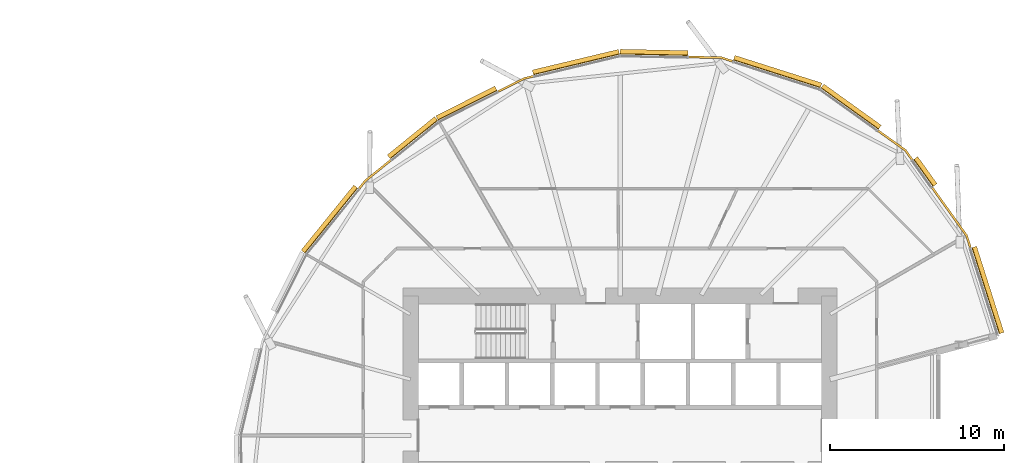
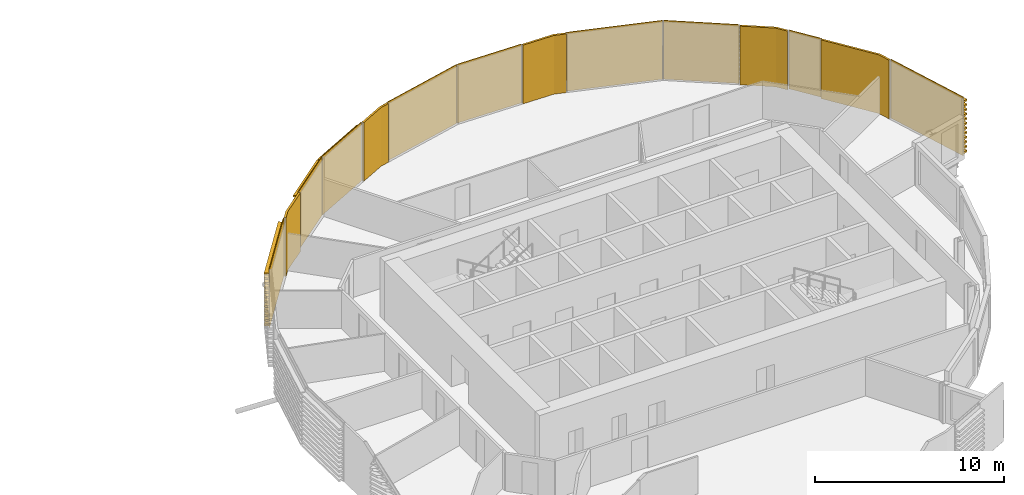
# One storey, part 37 of 37: 14 coverings.
"""IFC4 building model written with IfcOpenShell, lengths in metres."""

from ifc_helpers import new_model, si_unit, direction, frame, origin, place, context, subcontext, project, spatial, polyline, outline, extrude, material, layer, layer_set, material_profile, profile_set, type_object, element, save


model = new_model("IFC4")

# Units and contexts
model_context = context("Model", 3, precision=1e-05, world=origin(), true_north=direction((0.0, 1.0)))
body_context = subcontext(model_context, "Body", "Model", "MODEL_VIEW")
ifc_project = project(units=[si_unit("LENGTHUNIT", "METRE"), si_unit("AREAUNIT", "SQUARE_METRE"), si_unit("VOLUMEUNIT", "CUBIC_METRE"), si_unit("PLANEANGLEUNIT", "RADIAN"), si_unit("MASSUNIT", "GRAM", prefix="KILO")], contexts=[model_context])

# Site, building, storey
site_placement = place(None, origin())
site = spatial("IfcSite", under=ifc_project, at=site_placement, CompositionType="ELEMENT")
building_placement = place(site_placement, origin())
building = spatial("IfcBuilding", under=site, at=building_placement, Name="Rimbun Link Towers", CompositionType="ELEMENT")
storey_placement = place(building_placement, frame((0.0, 0.0, 60.39990234375)))
storey = spatial("IfcBuildingStorey", under=building, at=storey_placement, Name="L14", CompositionType="ELEMENT", Elevation=60.39990234375)

# Coverings
ifc_material_1 = material(Name="Terracotta", Category="masonry")
ifc_layer = layer(ifc_material_1, 0.1201171875)
ifc_layer_set = layer_set([ifc_layer], Name="LINK PIER terracotta cladding 120")
covering_type_1 = type_object("IfcCoveringType", Name="LINK PIER terracotta cladding 120", PredefinedType="CLADDING", material=ifc_layer_set)
covering_1_placement = place(storey_placement, origin())
element("IfcCovering", 1, at=covering_1_placement, inside=storey, type_object=covering_type_1, Name="LINK PIER cladding", PredefinedType="CLADDING", context=body_context, shape_type="SweptSolid", body=[
    extrude(outline(polyline([(46.503662109375, 17.432861328125), (48.063720703125, 16.313720703125), (48.4541015625, 15.769287109375), (48.5517578125, 15.839111328125), (48.149658203125, 16.399658203125), (46.57373046875, 17.530517578125), (46.503662109375, 17.432861328125)])), origin(), (0.0, 0.0, 1.0), 3.800048828125),
])
covering_2_placement = place(storey_placement, origin())
element("IfcCovering", 2, at=covering_2_placement, inside=storey, type_object=covering_type_1, Name="LINK PIER cladding", PredefinedType="CLADDING", context=body_context, shape_type="SweptSolid", body=[
    extrude(outline(polyline([(35.67041015625, 21.647705078125), (37.539794921875, 21.6083984375), (38.178466796875, 21.4052734375), (38.21484375, 21.51953125), (37.559814453125, 21.72802734375), (35.6728515625, 21.767578125), (35.67041015625, 21.647705078125)])), origin(), (0.0, 0.0, 1.0), 3.800048828125),
])
covering_3_placement = place(storey_placement, origin())
element("IfcCovering", 3, at=covering_3_placement, inside=storey, type_object=covering_type_1, Name="LINK PIER cladding", PredefinedType="CLADDING", context=body_context, shape_type="SweptSolid", body=[
    extrude(outline(polyline([(24.78564453125, 19.672119140625), (26.278076171875, 20.421630859375), (26.78369140625, 20.54248046875), (26.755859375, 20.6591796875), (26.236572265625, 20.53515625), (24.731689453125, 19.779296875), (24.78564453125, 19.672119140625)])), origin(), (0.0, 0.0, 1.0), 3.800048828125),
])
covering_4_placement = place(storey_placement, origin())
element("IfcCovering", 4, at=covering_4_placement, inside=storey, type_object=covering_type_1, Name="LINK PIER cladding", PredefinedType="CLADDING", context=body_context, shape_type="SweptSolid", body=[
    extrude(outline(polyline([(16.82568359375, 14.12255859375), (17.184326171875, 14.565673828125), (18.6376953125, 15.7421875), (18.562255859375, 15.83544921875), (17.098876953125, 14.651123046875), (16.732421875, 14.1982421875), (16.82568359375, 14.12255859375)])), origin(), (0.0, 0.0, 1.0), 3.800048828125),
])
covering_5_placement = place(storey_placement, origin())
element("IfcCovering", 5, at=covering_5_placement, inside=storey, type_object=covering_type_1, Name="LINK PIER cladding", PredefinedType="CLADDING", context=body_context, shape_type="SweptSolid", body=[
    extrude(outline(polyline([(49.59716796875, 14.176513671875), (51.56201171875, 11.4384765625), (51.780029296875, 10.752197265625), (51.89453125, 10.78857421875), (51.67041015625, 11.492919921875), (49.694580078125, 14.246337890625), (49.59716796875, 14.176513671875)])), origin(), (0.0, 0.0, 1.0), 3.800048828125),
])
ifc_material_2 = material(Name="Terracotta", Category="masonry")
ifc_material_profile = material_profile(ifc_material_2, outline(polyline([(0.123046875, 0.0), (0.1630859375, 0.0), (0.1630859375, 0.10009765625), (0.423095703125, 0.10009765625), (0.423095703125, 0.219970703125), (0.1630859375, 0.219970703125), (0.1630859375, 0.39990234375), (0.423095703125, 0.39990234375), (0.423095703125, 0.52001953125), (0.1630859375, 0.52001953125), (0.1630859375, 0.699951171875), (0.423095703125, 0.699951171875), (0.423095703125, 0.820068359375), (0.1630859375, 0.820068359375), (0.1630859375, 1.0), (0.423095703125, 1.0), (0.423095703125, 1.1201171875), (0.1630859375, 1.1201171875), (0.1630859375, 1.300048828125), (0.423095703125, 1.300048828125), (0.423095703125, 1.419921875), (0.1630859375, 1.419921875), (0.1630859375, 1.60009765625), (0.423095703125, 1.60009765625), (0.423095703125, 1.719970703125), (0.1630859375, 1.719970703125), (0.1630859375, 1.89990234375), (0.423095703125, 1.89990234375), (0.423095703125, 2.02001953125), (0.1630859375, 2.02001953125), (0.1630859375, 2.199951171875), (0.423095703125, 2.199951171875), (0.423095703125, 2.320068359375), (0.1630859375, 2.320068359375), (0.1630859375, 2.5), (0.423095703125, 2.5), (0.423095703125, 2.6201171875), (0.1630859375, 2.6201171875), (0.1630859375, 2.800048828125), (0.423095703125, 2.800048828125), (0.423095703125, 2.919921875), (0.1630859375, 2.919921875), (0.1630859375, 3.10009765625), (0.423095703125, 3.10009765625), (0.423095703125, 3.219970703125), (0.1630859375, 3.219970703125), (0.1630859375, 3.39990234375), (0.423095703125, 3.39990234375), (0.423095703125, 3.52001953125), (0.1630859375, 3.52001953125), (0.1630859375, 3.800048828125), (0.123046875, 3.800048828125), (0.123046875, 0.0)])), Name="BAGUETTE 120X300")
ifc_profile_set = profile_set([ifc_material_profile], Name="Terracotta")
covering_type_2 = type_object("IfcCoveringType", Name="TERRACOTTA BAGUETTE 120X300 H3800", PredefinedType="CLADDING", material=ifc_profile_set)
covering_6_placement = place(storey_placement, frame((43.1884765625, 19.81201171875, 0.0), z_axis=(0.812444527333, -0.583038497877, 0.0), x_axis=(0.583038497877, 0.812444527333, 0.0)))
element("IfcCovering", 6, at=covering_6_placement, inside=storey, type_object=covering_type_2, Name="TERRACOTTA BAGUETTE", PredefinedType="CLADDING", context=body_context, shape_type="SweptSolid", body=[
    extrude(outline(polyline([(0.123046875, 0.0), (0.1630859375, 0.0), (0.1630859375, 0.10009765625), (0.423095703125, 0.10009765625), (0.423095703125, 0.219970703125), (0.1630859375, 0.219970703125), (0.1630859375, 0.39990234375), (0.423095703125, 0.39990234375), (0.423095703125, 0.52001953125), (0.1630859375, 0.52001953125), (0.1630859375, 0.699951171875), (0.423095703125, 0.699951171875), (0.423095703125, 0.820068359375), (0.1630859375, 0.820068359375), (0.1630859375, 1.0), (0.423095703125, 1.0), (0.423095703125, 1.1201171875), (0.1630859375, 1.1201171875), (0.1630859375, 1.300048828125), (0.423095703125, 1.300048828125), (0.423095703125, 1.419921875), (0.1630859375, 1.419921875), (0.1630859375, 1.60009765625), (0.423095703125, 1.60009765625), (0.423095703125, 1.719970703125), (0.1630859375, 1.719970703125), (0.1630859375, 1.89990234375), (0.423095703125, 1.89990234375), (0.423095703125, 2.02001953125), (0.1630859375, 2.02001953125), (0.1630859375, 2.199951171875), (0.423095703125, 2.199951171875), (0.423095703125, 2.320068359375), (0.1630859375, 2.320068359375), (0.1630859375, 2.5), (0.423095703125, 2.5), (0.423095703125, 2.6201171875), (0.1630859375, 2.6201171875), (0.1630859375, 2.800048828125), (0.423095703125, 2.800048828125), (0.423095703125, 2.919921875), (0.1630859375, 2.919921875), (0.1630859375, 3.10009765625), (0.423095703125, 3.10009765625), (0.423095703125, 3.219970703125), (0.1630859375, 3.219970703125), (0.1630859375, 3.39990234375), (0.423095703125, 3.39990234375), (0.423095703125, 3.52001953125), (0.1630859375, 3.52001953125), (0.1630859375, 3.800048828125), (0.123046875, 3.800048828125), (0.123046875, 0.0)])), origin(), (0.0, 0.0, 1.0), 4.050537109375),
])
covering_7_placement = place(storey_placement, frame((38.20703125, 21.396240234375, 0.0), z_axis=(0.952968707508, -0.303068709225, 0.0), x_axis=(0.303068709225, 0.952968707508, 0.0)))
element("IfcCovering", 7, at=covering_7_placement, inside=storey, type_object=covering_type_2, Name="TERRACOTTA BAGUETTE", PredefinedType="CLADDING", context=body_context, shape_type="SweptSolid", body=[
    extrude(outline(polyline([(0.123046875, 0.0), (0.1630859375, 0.0), (0.1630859375, 0.10009765625), (0.423095703125, 0.10009765625), (0.423095703125, 0.219970703125), (0.1630859375, 0.219970703125), (0.1630859375, 0.39990234375), (0.423095703125, 0.39990234375), (0.423095703125, 0.52001953125), (0.1630859375, 0.52001953125), (0.1630859375, 0.699951171875), (0.423095703125, 0.699951171875), (0.423095703125, 0.820068359375), (0.1630859375, 0.820068359375), (0.1630859375, 1.0), (0.423095703125, 1.0), (0.423095703125, 1.1201171875), (0.1630859375, 1.1201171875), (0.1630859375, 1.300048828125), (0.423095703125, 1.300048828125), (0.423095703125, 1.419921875), (0.1630859375, 1.419921875), (0.1630859375, 1.60009765625), (0.423095703125, 1.60009765625), (0.423095703125, 1.719970703125), (0.1630859375, 1.719970703125), (0.1630859375, 1.89990234375), (0.423095703125, 1.89990234375), (0.423095703125, 2.02001953125), (0.1630859375, 2.02001953125), (0.1630859375, 2.199951171875), (0.423095703125, 2.199951171875), (0.423095703125, 2.320068359375), (0.1630859375, 2.320068359375), (0.1630859375, 2.5), (0.423095703125, 2.5), (0.423095703125, 2.6201171875), (0.1630859375, 2.6201171875), (0.1630859375, 2.800048828125), (0.423095703125, 2.800048828125), (0.423095703125, 2.919921875), (0.1630859375, 2.919921875), (0.1630859375, 3.10009765625), (0.423095703125, 3.10009765625), (0.423095703125, 3.219970703125), (0.1630859375, 3.219970703125), (0.1630859375, 3.39990234375), (0.423095703125, 3.39990234375), (0.423095703125, 3.52001953125), (0.1630859375, 3.52001953125), (0.1630859375, 3.800048828125), (0.123046875, 3.800048828125), (0.123046875, 0.0)])), origin(), (0.0, 0.0, 1.0), 5.227294921875),
])
covering_8_placement = place(storey_placement, frame((31.75, 21.730224609375, 0.0), z_axis=(0.999779091943, -0.021018261425, 0.0), x_axis=(0.021018261425, 0.999779091943, 0.0)))
element("IfcCovering", 8, at=covering_8_placement, inside=storey, type_object=covering_type_2, Name="TERRACOTTA BAGUETTE", PredefinedType="CLADDING", context=body_context, shape_type="SweptSolid", body=[
    extrude(outline(polyline([(0.123046875, 0.0), (0.1630859375, 0.0), (0.1630859375, 0.10009765625), (0.423095703125, 0.10009765625), (0.423095703125, 0.219970703125), (0.1630859375, 0.219970703125), (0.1630859375, 0.39990234375), (0.423095703125, 0.39990234375), (0.423095703125, 0.52001953125), (0.1630859375, 0.52001953125), (0.1630859375, 0.699951171875), (0.423095703125, 0.699951171875), (0.423095703125, 0.820068359375), (0.1630859375, 0.820068359375), (0.1630859375, 1.0), (0.423095703125, 1.0), (0.423095703125, 1.1201171875), (0.1630859375, 1.1201171875), (0.1630859375, 1.300048828125), (0.423095703125, 1.300048828125), (0.423095703125, 1.419921875), (0.1630859375, 1.419921875), (0.1630859375, 1.60009765625), (0.423095703125, 1.60009765625), (0.423095703125, 1.719970703125), (0.1630859375, 1.719970703125), (0.1630859375, 1.89990234375), (0.423095703125, 1.89990234375), (0.423095703125, 2.02001953125), (0.1630859375, 2.02001953125), (0.1630859375, 2.199951171875), (0.423095703125, 2.199951171875), (0.423095703125, 2.320068359375), (0.1630859375, 2.320068359375), (0.1630859375, 2.5), (0.423095703125, 2.5), (0.423095703125, 2.6201171875), (0.1630859375, 2.6201171875), (0.1630859375, 2.800048828125), (0.423095703125, 2.800048828125), (0.423095703125, 2.919921875), (0.1630859375, 2.919921875), (0.1630859375, 3.10009765625), (0.423095703125, 3.10009765625), (0.423095703125, 3.219970703125), (0.1630859375, 3.219970703125), (0.1630859375, 3.39990234375), (0.423095703125, 3.39990234375), (0.423095703125, 3.52001953125), (0.1630859375, 3.52001953125), (0.1630859375, 3.800048828125), (0.123046875, 3.800048828125), (0.123046875, 0.0)])), origin(), (0.0, 0.0, 1.0), 3.891357421875),
])
covering_9_placement = place(storey_placement, frame((26.81298828125, 20.549560546875, 0.0), z_axis=(0.972575580595, 0.232587059033, 0.0), x_axis=(-0.232587059033, 0.972575580595, 0.0)))
element("IfcCovering", 9, at=covering_9_placement, inside=storey, type_object=covering_type_2, Name="TERRACOTTA BAGUETTE", PredefinedType="CLADDING", context=body_context, shape_type="SweptSolid", body=[
    extrude(outline(polyline([(0.123046875, 0.0), (0.1630859375, 0.0), (0.1630859375, 0.10009765625), (0.423095703125, 0.10009765625), (0.423095703125, 0.219970703125), (0.1630859375, 0.219970703125), (0.1630859375, 0.39990234375), (0.423095703125, 0.39990234375), (0.423095703125, 0.52001953125), (0.1630859375, 0.52001953125), (0.1630859375, 0.699951171875), (0.423095703125, 0.699951171875), (0.423095703125, 0.820068359375), (0.1630859375, 0.820068359375), (0.1630859375, 1.0), (0.423095703125, 1.0), (0.423095703125, 1.1201171875), (0.1630859375, 1.1201171875), (0.1630859375, 1.300048828125), (0.423095703125, 1.300048828125), (0.423095703125, 1.419921875), (0.1630859375, 1.419921875), (0.1630859375, 1.60009765625), (0.423095703125, 1.60009765625), (0.423095703125, 1.719970703125), (0.1630859375, 1.719970703125), (0.1630859375, 1.89990234375), (0.423095703125, 1.89990234375), (0.423095703125, 2.02001953125), (0.1630859375, 2.02001953125), (0.1630859375, 2.199951171875), (0.423095703125, 2.199951171875), (0.423095703125, 2.320068359375), (0.1630859375, 2.320068359375), (0.1630859375, 2.5), (0.423095703125, 2.5), (0.423095703125, 2.6201171875), (0.1630859375, 2.6201171875), (0.1630859375, 2.800048828125), (0.423095703125, 2.800048828125), (0.423095703125, 2.919921875), (0.1630859375, 2.919921875), (0.1630859375, 3.10009765625), (0.423095703125, 3.10009765625), (0.423095703125, 3.219970703125), (0.1630859375, 3.219970703125), (0.1630859375, 3.39990234375), (0.423095703125, 3.39990234375), (0.423095703125, 3.52001953125), (0.1630859375, 3.52001953125), (0.1630859375, 3.800048828125), (0.123046875, 3.800048828125), (0.123046875, 0.0)])), origin(), (0.0, 0.0, 1.0), 5.076171875),
])
covering_10_placement = place(storey_placement, frame((21.3798828125, 17.961669921875, 0.0), z_axis=(0.893625110825, 0.448814172351, 0.0), x_axis=(-0.448814172351, 0.893625110825, 0.0)))
element("IfcCovering", 10, at=covering_10_placement, inside=storey, type_object=covering_type_2, Name="TERRACOTTA BAGUETTE", PredefinedType="CLADDING", context=body_context, shape_type="SweptSolid", body=[
    extrude(outline(polyline([(0.123046875, 0.0), (0.1630859375, 0.0), (0.1630859375, 0.10009765625), (0.423095703125, 0.10009765625), (0.423095703125, 0.219970703125), (0.1630859375, 0.219970703125), (0.1630859375, 0.39990234375), (0.423095703125, 0.39990234375), (0.423095703125, 0.52001953125), (0.1630859375, 0.52001953125), (0.1630859375, 0.699951171875), (0.423095703125, 0.699951171875), (0.423095703125, 0.820068359375), (0.1630859375, 0.820068359375), (0.1630859375, 1.0), (0.423095703125, 1.0), (0.423095703125, 1.1201171875), (0.1630859375, 1.1201171875), (0.1630859375, 1.300048828125), (0.423095703125, 1.300048828125), (0.423095703125, 1.419921875), (0.1630859375, 1.419921875), (0.1630859375, 1.60009765625), (0.423095703125, 1.60009765625), (0.423095703125, 1.719970703125), (0.1630859375, 1.719970703125), (0.1630859375, 1.89990234375), (0.423095703125, 1.89990234375), (0.423095703125, 2.02001953125), (0.1630859375, 2.02001953125), (0.1630859375, 2.199951171875), (0.423095703125, 2.199951171875), (0.423095703125, 2.320068359375), (0.1630859375, 2.320068359375), (0.1630859375, 2.5), (0.423095703125, 2.5), (0.423095703125, 2.6201171875), (0.1630859375, 2.6201171875), (0.1630859375, 2.800048828125), (0.423095703125, 2.800048828125), (0.423095703125, 2.919921875), (0.1630859375, 2.919921875), (0.1630859375, 3.10009765625), (0.423095703125, 3.10009765625), (0.423095703125, 3.219970703125), (0.1630859375, 3.219970703125), (0.1630859375, 3.39990234375), (0.423095703125, 3.39990234375), (0.423095703125, 3.52001953125), (0.1630859375, 3.52001953125), (0.1630859375, 3.800048828125), (0.123046875, 3.800048828125), (0.123046875, 0.0)])), origin(), (0.0, 0.0, 1.0), 3.781005859375),
])
covering_11_placement = place(storey_placement, frame((18.6611328125, 15.760986328125, 0.0), z_axis=(0.777274127794, 0.629162085842, 0.0), x_axis=(-0.629162085842, 0.777274127794, 0.0)))
element("IfcCovering", 11, at=covering_11_placement, inside=storey, type_object=covering_type_2, Name="TERRACOTTA BAGUETTE", PredefinedType="CLADDING", context=body_context, shape_type="SweptSolid", body=[
    extrude(outline(polyline([(0.123046875, 0.0), (0.1630859375, 0.0), (0.1630859375, 0.10009765625), (0.423095703125, 0.10009765625), (0.423095703125, 0.219970703125), (0.1630859375, 0.219970703125), (0.1630859375, 0.39990234375), (0.423095703125, 0.39990234375), (0.423095703125, 0.52001953125), (0.1630859375, 0.52001953125), (0.1630859375, 0.699951171875), (0.423095703125, 0.699951171875), (0.423095703125, 0.820068359375), (0.1630859375, 0.820068359375), (0.1630859375, 1.0), (0.423095703125, 1.0), (0.423095703125, 1.1201171875), (0.1630859375, 1.1201171875), (0.1630859375, 1.300048828125), (0.423095703125, 1.300048828125), (0.423095703125, 1.419921875), (0.1630859375, 1.419921875), (0.1630859375, 1.60009765625), (0.423095703125, 1.60009765625), (0.423095703125, 1.719970703125), (0.1630859375, 1.719970703125), (0.1630859375, 1.89990234375), (0.423095703125, 1.89990234375), (0.423095703125, 2.02001953125), (0.1630859375, 2.02001953125), (0.1630859375, 2.199951171875), (0.423095703125, 2.199951171875), (0.423095703125, 2.320068359375), (0.1630859375, 2.320068359375), (0.1630859375, 2.5), (0.423095703125, 2.5), (0.423095703125, 2.6201171875), (0.1630859375, 2.6201171875), (0.1630859375, 2.800048828125), (0.423095703125, 2.800048828125), (0.423095703125, 2.919921875), (0.1630859375, 2.919921875), (0.1630859375, 3.10009765625), (0.423095703125, 3.10009765625), (0.423095703125, 3.219970703125), (0.1630859375, 3.219970703125), (0.1630859375, 3.39990234375), (0.423095703125, 3.39990234375), (0.423095703125, 3.52001953125), (0.1630859375, 3.52001953125), (0.1630859375, 3.800048828125), (0.123046875, 3.800048828125), (0.123046875, 0.0)])), origin(), (0.0, 0.0, 1.0), 3.497802734375),
])
covering_12_placement = place(storey_placement, frame((13.788330078125, 10.3701171875, 0.0), z_axis=(0.629152848556, 0.777281604796, 0.0), x_axis=(-0.777281604796, 0.629152848556, 0.0)))
element("IfcCovering", 12, at=covering_12_placement, inside=storey, type_object=covering_type_2, Name="TERRACOTTA BAGUETTE", PredefinedType="CLADDING", context=body_context, shape_type="SweptSolid", body=[
    extrude(outline(polyline([(0.123046875, 0.0), (0.1630859375, 0.0), (0.1630859375, 0.10009765625), (0.423095703125, 0.10009765625), (0.423095703125, 0.219970703125), (0.1630859375, 0.219970703125), (0.1630859375, 0.39990234375), (0.423095703125, 0.39990234375), (0.423095703125, 0.52001953125), (0.1630859375, 0.52001953125), (0.1630859375, 0.699951171875), (0.423095703125, 0.699951171875), (0.423095703125, 0.820068359375), (0.1630859375, 0.820068359375), (0.1630859375, 1.0), (0.423095703125, 1.0), (0.423095703125, 1.1201171875), (0.1630859375, 1.1201171875), (0.1630859375, 1.300048828125), (0.423095703125, 1.300048828125), (0.423095703125, 1.419921875), (0.1630859375, 1.419921875), (0.1630859375, 1.60009765625), (0.423095703125, 1.60009765625), (0.423095703125, 1.719970703125), (0.1630859375, 1.719970703125), (0.1630859375, 1.89990234375), (0.423095703125, 1.89990234375), (0.423095703125, 2.02001953125), (0.1630859375, 2.02001953125), (0.1630859375, 2.199951171875), (0.423095703125, 2.199951171875), (0.423095703125, 2.320068359375), (0.1630859375, 2.320068359375), (0.1630859375, 2.5), (0.423095703125, 2.5), (0.423095703125, 2.6201171875), (0.1630859375, 2.6201171875), (0.1630859375, 2.800048828125), (0.423095703125, 2.800048828125), (0.423095703125, 2.919921875), (0.1630859375, 2.919921875), (0.1630859375, 3.10009765625), (0.423095703125, 3.10009765625), (0.423095703125, 3.219970703125), (0.1630859375, 3.219970703125), (0.1630859375, 3.39990234375), (0.423095703125, 3.39990234375), (0.423095703125, 3.52001953125), (0.1630859375, 3.52001953125), (0.1630859375, 3.800048828125), (0.123046875, 3.800048828125), (0.123046875, 0.0)])), origin(), (0.0, 0.0, 1.0), 4.7978515625),
])
covering_13_placement = place(storey_placement, frame((51.789306640625, 10.7236328125, 0.0), z_axis=(0.303069353563, -0.952968502591, 0.0), x_axis=(0.952968502591, 0.303069353563, 0.0)))
element("IfcCovering", 13, at=covering_13_placement, inside=storey, type_object=covering_type_2, Name="TERRACOTTA BAGUETTE", PredefinedType="CLADDING", context=body_context, shape_type="SweptSolid", body=[
    extrude(outline(polyline([(0.123046875, 0.0), (0.1630859375, 0.0), (0.1630859375, 0.10009765625), (0.423095703125, 0.10009765625), (0.423095703125, 0.219970703125), (0.1630859375, 0.219970703125), (0.1630859375, 0.39990234375), (0.423095703125, 0.39990234375), (0.423095703125, 0.52001953125), (0.1630859375, 0.52001953125), (0.1630859375, 0.699951171875), (0.423095703125, 0.699951171875), (0.423095703125, 0.820068359375), (0.1630859375, 0.820068359375), (0.1630859375, 1.0), (0.423095703125, 1.0), (0.423095703125, 1.1201171875), (0.1630859375, 1.1201171875), (0.1630859375, 1.300048828125), (0.423095703125, 1.300048828125), (0.423095703125, 1.419921875), (0.1630859375, 1.419921875), (0.1630859375, 1.60009765625), (0.423095703125, 1.60009765625), (0.423095703125, 1.719970703125), (0.1630859375, 1.719970703125), (0.1630859375, 1.89990234375), (0.423095703125, 1.89990234375), (0.423095703125, 2.02001953125), (0.1630859375, 2.02001953125), (0.1630859375, 2.199951171875), (0.423095703125, 2.199951171875), (0.423095703125, 2.320068359375), (0.1630859375, 2.320068359375), (0.1630859375, 2.5), (0.423095703125, 2.5), (0.423095703125, 2.6201171875), (0.1630859375, 2.6201171875), (0.1630859375, 2.800048828125), (0.423095703125, 2.800048828125), (0.423095703125, 2.919921875), (0.1630859375, 2.919921875), (0.1630859375, 3.10009765625), (0.423095703125, 3.10009765625), (0.423095703125, 3.219970703125), (0.1630859375, 3.219970703125), (0.1630859375, 3.39990234375), (0.423095703125, 3.39990234375), (0.423095703125, 3.52001953125), (0.1630859375, 3.52001953125), (0.1630859375, 3.800048828125), (0.123046875, 3.800048828125), (0.123046875, 0.0)])), origin(), (0.0, 0.0, 1.0), 5.17724609375),
])
covering_14_placement = place(storey_placement, frame((48.4716796875, 15.744873046875, 0.0), z_axis=(0.582950280399, -0.812507828013, 0.0), x_axis=(0.812507828013, 0.582950280399, 0.0)))
element("IfcCovering", 14, at=covering_14_placement, inside=storey, type_object=covering_type_2, Name="TERRACOTTA BAGUETTE", PredefinedType="CLADDING", context=body_context, shape_type="SweptSolid", body=[
    extrude(outline(polyline([(0.123046875, 0.0), (0.1630859375, 0.0), (0.1630859375, 0.10009765625), (0.423095703125, 0.10009765625), (0.423095703125, 0.219970703125), (0.1630859375, 0.219970703125), (0.1630859375, 0.39990234375), (0.423095703125, 0.39990234375), (0.423095703125, 0.52001953125), (0.1630859375, 0.52001953125), (0.1630859375, 0.699951171875), (0.423095703125, 0.699951171875), (0.423095703125, 0.820068359375), (0.1630859375, 0.820068359375), (0.1630859375, 1.0), (0.423095703125, 1.0), (0.423095703125, 1.1201171875), (0.1630859375, 1.1201171875), (0.1630859375, 1.300048828125), (0.423095703125, 1.300048828125), (0.423095703125, 1.419921875), (0.1630859375, 1.419921875), (0.1630859375, 1.60009765625), (0.423095703125, 1.60009765625), (0.423095703125, 1.719970703125), (0.1630859375, 1.719970703125), (0.1630859375, 1.89990234375), (0.423095703125, 1.89990234375), (0.423095703125, 2.02001953125), (0.1630859375, 2.02001953125), (0.1630859375, 2.199951171875), (0.423095703125, 2.199951171875), (0.423095703125, 2.320068359375), (0.1630859375, 2.320068359375), (0.1630859375, 2.5), (0.423095703125, 2.5), (0.423095703125, 2.6201171875), (0.1630859375, 2.6201171875), (0.1630859375, 2.800048828125), (0.423095703125, 2.800048828125), (0.423095703125, 2.919921875), (0.1630859375, 2.919921875), (0.1630859375, 3.10009765625), (0.423095703125, 3.10009765625), (0.423095703125, 3.219970703125), (0.1630859375, 3.219970703125), (0.1630859375, 3.39990234375), (0.423095703125, 3.39990234375), (0.423095703125, 3.52001953125), (0.1630859375, 3.52001953125), (0.1630859375, 3.800048828125), (0.123046875, 3.800048828125), (0.123046875, 0.0)])), origin(), (0.0, 0.0, 1.0), 1.900634765625),
])

save(model, "model.ifc")
